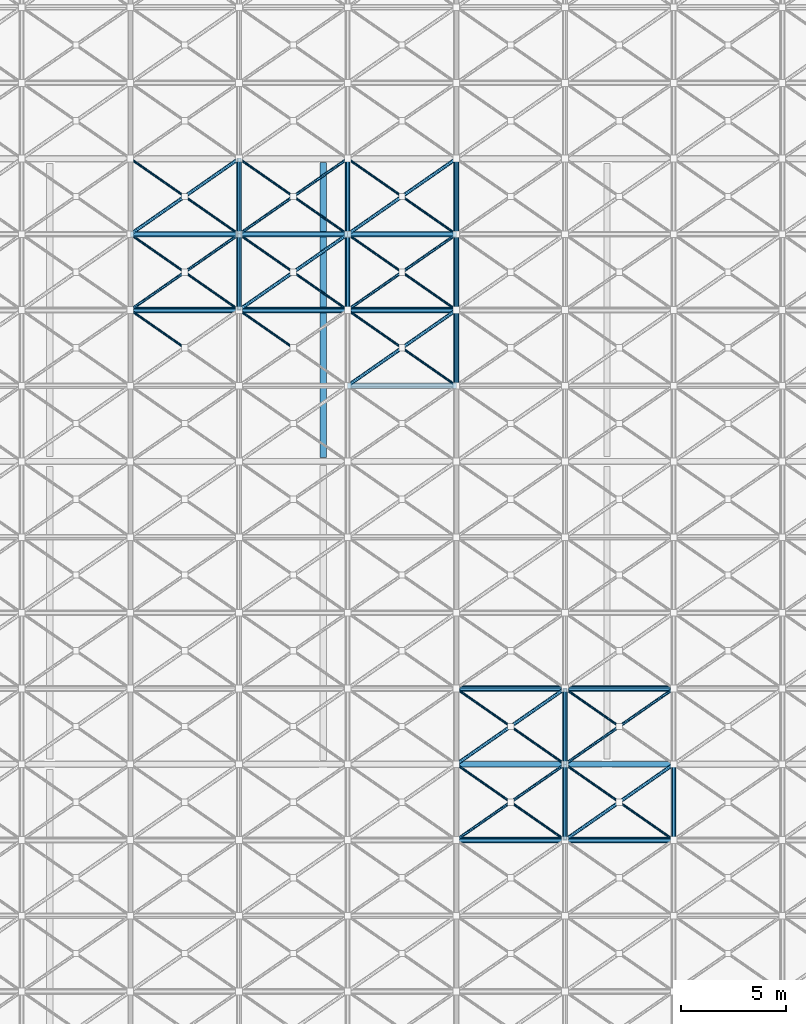
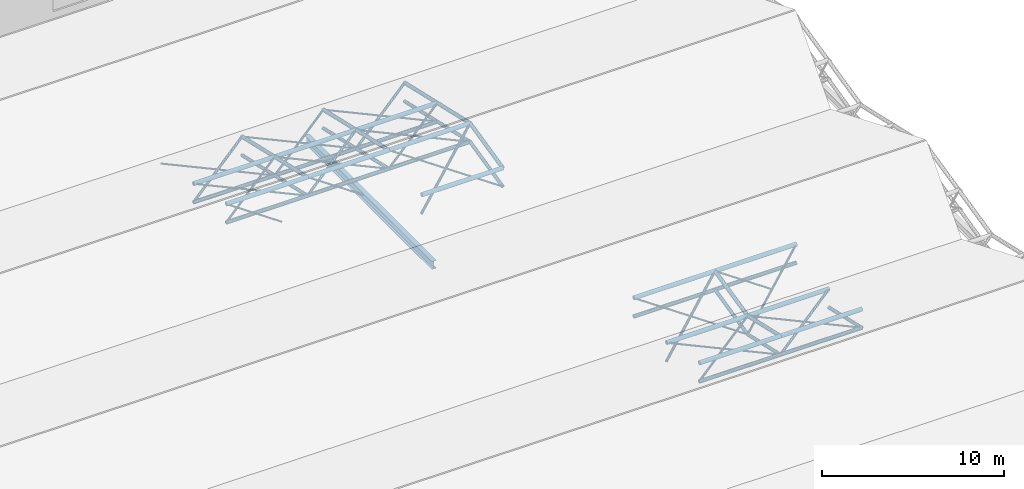
# One storey, part 42 of 110: 76 members, 1 beam.
"""IFC4 building model written with IfcOpenShell, lengths in metres."""

from ifc_helpers import new_model, si_unit, direction, frame, origin, origin_2d, place, context, subcontext, project, spatial, hollow_circle, i_section, extrude, material, material_profile, profile_set, type_object, element, save


model = new_model("IFC4")

# Units and contexts
model_context = context("Model", 3, precision=1e-05, world=origin(), true_north=direction((0.0, 1.0)))
body_context = subcontext(model_context, "Body", "Model", "MODEL_VIEW")
ifc_project = project(units=[si_unit("LENGTHUNIT", "METRE"), si_unit("AREAUNIT", "SQUARE_METRE"), si_unit("VOLUMEUNIT", "CUBIC_METRE"), si_unit("PLANEANGLEUNIT", "RADIAN"), si_unit("MASSUNIT", "GRAM", prefix="KILO")], contexts=[model_context])

# Site, building, storey
site_placement = place(None, origin())
site = spatial("IfcSite", under=ifc_project, at=site_placement, CompositionType="ELEMENT")
building_placement = place(site_placement, origin())
building = spatial("IfcBuilding", under=site, at=building_placement, Name="Tamarisk Ironworks Central Station", CompositionType="ELEMENT")
storey_placement = place(building_placement, frame((0.0, 0.0, 17.39990234375)))
storey = spatial("IfcBuildingStorey", under=building, at=storey_placement, Name="L03", CompositionType="ELEMENT", Elevation=17.39990234375)

# Beam
ifc_material_1 = material(Name="Structural steel S355J2", Category="steel")
ifc_material_profile_1 = material_profile(ifc_material_1, i_section(OverallWidth=0.300048828125, OverallDepth=0.5400390625, WebThickness=0.012451171875, FlangeThickness=0.02392578125, at=origin_2d()), Name="HEA 550")
ifc_profile_set_1 = profile_set([ifc_material_profile_1], Name="Structural steel S355J2")
beam_type = type_object("IfcBeamType", Name="BM-G04", PredefinedType="BEAM", material=ifc_profile_set_1)
beam_placement = place(storey_placement, frame((153.0, 50.59130859375, -1.869873046875), z_axis=(0.0, 1.0, 0.0), x_axis=(-1.0, 0.0, 0.0)))
element("IfcBeam", 1, at=beam_placement, inside=storey, type_object=beam_type, Name="L03 primary girder Y-0617", PredefinedType="BEAM", context=body_context, shape_type="SweptSolid", body=[
    extrude(i_section(OverallWidth=0.300048828125, OverallDepth=0.5400390625, WebThickness=0.012451171875, FlangeThickness=0.02392578125, at=origin_2d()), origin(), (0.0, 0.0, 1.0), 14.017578125),
])

# Members
ifc_material_2 = material(Name="Structural steel S355J2H", Category="steel")
ifc_material_profile_2 = material_profile(ifc_material_2, hollow_circle(Radius=0.136474609375, WallThickness=0.012451171875, at=origin_2d()), Name="CHS 273x12.5")
ifc_profile_set_2 = profile_set([ifc_material_profile_2], Name="Structural steel S355J2H")
member_type_1 = type_object("IfcMemberType", Name="MB-SFC01", PredefinedType="CHORD", material=ifc_profile_set_2)
for number, where, z_axis, x_axis, name in (
    (2, (159.333251953125, 32.39990234375, 0.35498046875), (1.0, 0.0, 0.0), (0.0, 1.0, 0.0), "Train shed space-frame top chord 1095"),
    (3, (164.5, 32.39990234375, 0.35498046875), (1.0, 0.0, 0.0), (0.0, 1.0, 0.0), "Train shed space-frame top chord 1096"),
    (4, (159.333251953125, 36.0, -0.469970703125), (1.0, 0.0, 0.0), (0.0, 1.0, 0.0), "Train shed space-frame top chord 1107"),
    (5, (164.5, 36.0, -0.469970703125), (1.0, 0.0, 0.0), (0.0, 1.0, 0.0), "Train shed space-frame top chord 1108"),
    (6, (159.333251953125, 39.60009765625, 0.35498046875), (1.0, 0.0, 0.0), (0.0, 1.0, 0.0), "Train shed space-frame top chord 1355"),
    (7, (164.5, 39.60009765625, 0.35498046875), (1.0, 0.0, 0.0), (0.0, 1.0, 0.0), "Train shed space-frame top chord 1356"),
):
    element("IfcMember", number, at=place(storey_placement, frame(where, z_axis=z_axis, x_axis=x_axis)), inside=storey, type_object=member_type_1, Name=name, PredefinedType="CHORD", context=body_context, shape_type="SweptSolid", body=[
        extrude(hollow_circle(Radius=0.136474609375, WallThickness=0.012451171875, at=origin_2d()), origin(), (0.0, 0.0, 1.0), 5.166748046875),
    ])
member_1_placement = place(storey_placement, frame((154.166748046875, 54.0, 0.35498046875), z_axis=(1.0, 0.0, 0.0), x_axis=(0.0, 1.0, 0.0)))
element("IfcMember", 8, at=member_1_placement, inside=storey, type_object=member_type_1, Name="Train shed space-frame top chord 1638", PredefinedType="CHORD", context=body_context, shape_type="SweptSolid", body=[
    extrude(hollow_circle(Radius=0.136474609375, WallThickness=0.012451171875, at=origin_2d()), origin(), (0.0, 0.0, 1.0), 5.16650390625),
])
for number, where, z_axis, x_axis, name in (
    (9, (143.833251953125, 57.60009765625, 1.18017578125), (1.0, 0.0, 0.0), (0.0, 1.0, 0.0), "Train shed space-frame top chord 1648"),
    (10, (149.0, 57.60009765625, 1.18017578125), (1.0, 0.0, 0.0), (0.0, 1.0, 0.0), "Train shed space-frame top chord 1649"),
):
    element("IfcMember", number, at=place(storey_placement, frame(where, z_axis=z_axis, x_axis=x_axis)), inside=storey, type_object=member_type_1, Name=name, PredefinedType="CHORD", context=body_context, shape_type="SweptSolid", body=[
        extrude(hollow_circle(Radius=0.136474609375, WallThickness=0.012451171875, at=origin_2d()), origin(), (0.0, 0.0, 1.0), 5.166748046875),
    ])
member_2_placement = place(storey_placement, frame((154.166748046875, 57.60009765625, 1.18017578125), z_axis=(1.0, 0.0, 0.0), x_axis=(0.0, 1.0, 0.0)))
element("IfcMember", 11, at=member_2_placement, inside=storey, type_object=member_type_1, Name="Train shed space-frame top chord 1650", PredefinedType="CHORD", context=body_context, shape_type="SweptSolid", body=[
    extrude(hollow_circle(Radius=0.136474609375, WallThickness=0.012451171875, at=origin_2d()), origin(), (0.0, 0.0, 1.0), 5.16650390625),
])
for number, where, z_axis, x_axis, name in (
    (12, (143.833251953125, 61.199951171875, 0.35498046875), (1.0, 0.0, 0.0), (0.0, 1.0, 0.0), "Train shed space-frame top chord 1660"),
    (13, (149.0, 61.199951171875, 0.35498046875), (1.0, 0.0, 0.0), (0.0, 1.0, 0.0), "Train shed space-frame top chord 1661"),
):
    element("IfcMember", number, at=place(storey_placement, frame(where, z_axis=z_axis, x_axis=x_axis)), inside=storey, type_object=member_type_1, Name=name, PredefinedType="CHORD", context=body_context, shape_type="SweptSolid", body=[
        extrude(hollow_circle(Radius=0.136474609375, WallThickness=0.012451171875, at=origin_2d()), origin(), (0.0, 0.0, 1.0), 5.166748046875),
    ])
member_3_placement = place(storey_placement, frame((154.166748046875, 61.199951171875, 0.35498046875), z_axis=(1.0, 0.0, 0.0), x_axis=(0.0, 1.0, 0.0)))
element("IfcMember", 14, at=member_3_placement, inside=storey, type_object=member_type_1, Name="Train shed space-frame top chord 1662", PredefinedType="CHORD", context=body_context, shape_type="SweptSolid", body=[
    extrude(hollow_circle(Radius=0.136474609375, WallThickness=0.012451171875, at=origin_2d()), origin(), (0.0, 0.0, 1.0), 5.16650390625),
])
ifc_material_profile_3 = material_profile(ifc_material_2, hollow_circle(Radius=0.122314453125, WallThickness=0.012451171875, at=origin_2d()), Name="CHS 244.5x12.5")
ifc_profile_set_3 = profile_set([ifc_material_profile_3], Name="Structural steel S355J2H")
member_type_2 = type_object("IfcMemberType", Name="MB-SFC02", PredefinedType="CHORD", material=ifc_profile_set_3)
for number, where, z_axis, x_axis, name in (
    (15, (159.333251953125, 32.39990234375, -0.89501953125), (1.0, 0.0, 0.0), (0.0, 1.0, 0.0), "Train shed space-frame bottom chord 0995"),
    (16, (164.5, 32.39990234375, -0.89501953125), (1.0, 0.0, 0.0), (0.0, 1.0, 0.0), "Train shed space-frame bottom chord 0996"),
):
    element("IfcMember", number, at=place(storey_placement, frame(where, z_axis=z_axis, x_axis=x_axis)), inside=storey, type_object=member_type_2, Name=name, PredefinedType="CHORD", context=body_context, shape_type="SweptSolid", body=[
        extrude(hollow_circle(Radius=0.122314453125, WallThickness=0.012451171875, at=origin_2d()), origin(), (0.0, 0.0, 1.0), 5.166748046875),
    ])
member_4_placement = place(storey_placement, frame((164.5, 32.39990234375, 0.35498046875), z_axis=(0.0, 0.974736516158, -0.223357838607), x_axis=(-1.0, 0.0, 0.0)))
element("IfcMember", 17, at=member_4_placement, inside=storey, type_object=member_type_2, Name="Train shed space-frame top transverse chord 1150", PredefinedType="CHORD", context=body_context, shape_type="SweptSolid", body=[
    extrude(hollow_circle(Radius=0.122314453125, WallThickness=0.012451171875, at=origin_2d()), origin(), (0.0, 0.0, 1.0), 3.693359375),
])
for number, where, z_axis, x_axis, name in (
    (18, (159.333251953125, 39.60009765625, -0.89501953125), (1.0, 0.0, 0.0), (0.0, 1.0, 0.0), "Train shed space-frame bottom chord 1267"),
    (19, (164.5, 39.60009765625, -0.89501953125), (1.0, 0.0, 0.0), (0.0, 1.0, 0.0), "Train shed space-frame bottom chord 1268"),
):
    element("IfcMember", number, at=place(storey_placement, frame(where, z_axis=z_axis, x_axis=x_axis)), inside=storey, type_object=member_type_2, Name=name, PredefinedType="CHORD", context=body_context, shape_type="SweptSolid", body=[
        extrude(hollow_circle(Radius=0.122314453125, WallThickness=0.012451171875, at=origin_2d()), origin(), (0.0, 0.0, 1.0), 5.166748046875),
    ])
member_5_placement = place(storey_placement, frame((164.5, 36.0, -0.469970703125), z_axis=(0.0, 0.974736516158, 0.223357838607), x_axis=(-1.0, 0.0, 0.0)))
element("IfcMember", 20, at=member_5_placement, inside=storey, type_object=member_type_2, Name="Train shed space-frame top transverse chord 1431", PredefinedType="CHORD", context=body_context, shape_type="SweptSolid", body=[
    extrude(hollow_circle(Radius=0.122314453125, WallThickness=0.012451171875, at=origin_2d()), origin(), (0.0, 0.0, 1.0), 3.693359375),
])
for number, where, z_axis, x_axis, name in (
    (21, (143.833251953125, 57.60009765625, -0.06982421875), (1.0, 0.0, 0.0), (0.0, 1.0, 0.0), "Train shed space-frame bottom chord 1560"),
    (22, (149.0, 57.60009765625, -0.06982421875), (1.0, 0.0, 0.0), (0.0, 1.0, 0.0), "Train shed space-frame bottom chord 1561"),
):
    element("IfcMember", number, at=place(storey_placement, frame(where, z_axis=z_axis, x_axis=x_axis)), inside=storey, type_object=member_type_2, Name=name, PredefinedType="CHORD", context=body_context, shape_type="SweptSolid", body=[
        extrude(hollow_circle(Radius=0.122314453125, WallThickness=0.012451171875, at=origin_2d()), origin(), (0.0, 0.0, 1.0), 5.166748046875),
    ])
member_6_placement = place(storey_placement, frame((154.166748046875, 57.60009765625, -0.06982421875), z_axis=(1.0, 0.0, 0.0), x_axis=(0.0, 1.0, 0.0)))
element("IfcMember", 23, at=member_6_placement, inside=storey, type_object=member_type_2, Name="Train shed space-frame bottom chord 1562", PredefinedType="CHORD", context=body_context, shape_type="SweptSolid", body=[
    extrude(hollow_circle(Radius=0.122314453125, WallThickness=0.012451171875, at=origin_2d()), origin(), (0.0, 0.0, 1.0), 5.16650390625),
])
for number, where, z_axis, x_axis, name in (
    (24, (143.833251953125, 61.199951171875, -0.89501953125), (1.0, 0.0, 0.0), (0.0, 1.0, 0.0), "Train shed space-frame bottom chord 1572"),
    (25, (149.0, 61.199951171875, -0.89501953125), (1.0, 0.0, 0.0), (0.0, 1.0, 0.0), "Train shed space-frame bottom chord 1573"),
):
    element("IfcMember", number, at=place(storey_placement, frame(where, z_axis=z_axis, x_axis=x_axis)), inside=storey, type_object=member_type_2, Name=name, PredefinedType="CHORD", context=body_context, shape_type="SweptSolid", body=[
        extrude(hollow_circle(Radius=0.122314453125, WallThickness=0.012451171875, at=origin_2d()), origin(), (0.0, 0.0, 1.0), 5.166748046875),
    ])
member_7_placement = place(storey_placement, frame((154.166748046875, 61.199951171875, -0.89501953125), z_axis=(1.0, 0.0, 0.0), x_axis=(0.0, 1.0, 0.0)))
element("IfcMember", 26, at=member_7_placement, inside=storey, type_object=member_type_2, Name="Train shed space-frame bottom chord 1574", PredefinedType="CHORD", context=body_context, shape_type="SweptSolid", body=[
    extrude(hollow_circle(Radius=0.122314453125, WallThickness=0.012451171875, at=origin_2d()), origin(), (0.0, 0.0, 1.0), 5.16650390625),
])
member_8_placement = place(storey_placement, frame((149.0, 57.60009765625, 1.18017578125), z_axis=(0.0, 0.974718823144, -0.223435037113), x_axis=(-1.0, 0.0, 0.0)))
element("IfcMember", 27, at=member_8_placement, inside=storey, type_object=member_type_2, Name="Train shed space-frame top transverse chord 1705", PredefinedType="CHORD", context=body_context, shape_type="SweptSolid", body=[
    extrude(hollow_circle(Radius=0.122314453125, WallThickness=0.012451171875, at=origin_2d()), origin(), (0.0, 0.0, 1.0), 3.693115234375),
])
member_9_placement = place(storey_placement, frame((149.0, 61.199951171875, 0.35498046875), z_axis=(0.0, 0.974736516158, -0.223357838607), x_axis=(-1.0, 0.0, 0.0)))
element("IfcMember", 28, at=member_9_placement, inside=storey, type_object=member_type_2, Name="Train shed space-frame top transverse chord 1706", PredefinedType="CHORD", context=body_context, shape_type="SweptSolid", body=[
    extrude(hollow_circle(Radius=0.122314453125, WallThickness=0.012451171875, at=origin_2d()), origin(), (0.0, 0.0, 1.0), 3.693359375),
])
member_10_placement = place(storey_placement, frame((154.166748046875, 57.60009765625, 1.18017578125), z_axis=(0.0, 0.974718823144, -0.223435037113), x_axis=(-1.0, 0.0, 0.0)))
element("IfcMember", 29, at=member_10_placement, inside=storey, type_object=member_type_2, Name="Train shed space-frame top transverse chord 1709", PredefinedType="CHORD", context=body_context, shape_type="SweptSolid", body=[
    extrude(hollow_circle(Radius=0.122314453125, WallThickness=0.012451171875, at=origin_2d()), origin(), (0.0, 0.0, 1.0), 3.693115234375),
])
for number, where, z_axis, x_axis, name in (
    (30, (154.166748046875, 61.199951171875, 0.35498046875), (0.0, 0.974736516158, -0.223357838607), (-1.0, 0.0, 0.0), "Train shed space-frame top transverse chord 1710"),
    (31, (159.333251953125, 54.0, 0.35498046875), (0.0, 0.974722123001, 0.223420641241), (-1.0, 0.0, 0.0), "Train shed space-frame top transverse chord 1712"),
):
    element("IfcMember", number, at=place(storey_placement, frame(where, z_axis=z_axis, x_axis=x_axis)), inside=storey, type_object=member_type_2, Name=name, PredefinedType="CHORD", context=body_context, shape_type="SweptSolid", body=[
        extrude(hollow_circle(Radius=0.122314453125, WallThickness=0.012451171875, at=origin_2d()), origin(), (0.0, 0.0, 1.0), 3.693359375),
    ])
member_11_placement = place(storey_placement, frame((159.333251953125, 57.60009765625, 1.18017578125), z_axis=(0.0, 0.974718823144, -0.223435037113), x_axis=(-1.0, 0.0, 0.0)))
element("IfcMember", 32, at=member_11_placement, inside=storey, type_object=member_type_2, Name="Train shed space-frame top transverse chord 1713", PredefinedType="CHORD", context=body_context, shape_type="SweptSolid", body=[
    extrude(hollow_circle(Radius=0.122314453125, WallThickness=0.012451171875, at=origin_2d()), origin(), (0.0, 0.0, 1.0), 3.693115234375),
])
member_12_placement = place(storey_placement, frame((159.333251953125, 61.199951171875, 0.35498046875), z_axis=(0.0, 0.974736516158, -0.223357838607), x_axis=(-1.0, 0.0, 0.0)))
element("IfcMember", 33, at=member_12_placement, inside=storey, type_object=member_type_2, Name="Train shed space-frame top transverse chord 1714", PredefinedType="CHORD", context=body_context, shape_type="SweptSolid", body=[
    extrude(hollow_circle(Radius=0.122314453125, WallThickness=0.012451171875, at=origin_2d()), origin(), (0.0, 0.0, 1.0), 3.693359375),
])
ifc_material_profile_4 = material_profile(ifc_material_2, hollow_circle(Radius=0.109619140625, WallThickness=0.010009765625, at=origin_2d()), Name="CHS 219.1x10")
ifc_profile_set_4 = profile_set([ifc_material_profile_4], Name="Structural steel S355J2H")
member_type_3 = type_object("IfcMemberType", Name="MB-SFC03", PredefinedType="CHORD", material=ifc_profile_set_4)
for number, where, z_axis, x_axis, name in (
    (34, (164.5, 32.39990234375, -0.89501953125), (0.0, 0.974736516158, -0.223357838607), (-1.0, 0.0, 0.0), "Train shed space-frame transverse chord 1038"),
    (35, (169.666748046875, 32.39990234375, -0.89501953125), (0.0, 0.974736516158, -0.223357838607), (-1.0, 0.0, 0.0), "Train shed space-frame transverse chord 1042"),
    (36, (164.5, 36.0, -1.719970703125), (0.0, 0.974736516158, 0.223357838607), (-1.0, 0.0, 0.0), "Train shed space-frame transverse chord 1331"),
):
    element("IfcMember", number, at=place(storey_placement, frame(where, z_axis=z_axis, x_axis=x_axis)), inside=storey, type_object=member_type_3, Name=name, PredefinedType="CHORD", context=body_context, shape_type="SweptSolid", body=[
        extrude(hollow_circle(Radius=0.109619140625, WallThickness=0.010009765625, at=origin_2d()), origin(), (0.0, 0.0, 1.0), 3.693359375),
    ])
member_13_placement = place(storey_placement, frame((149.0, 57.60009765625, -0.06982421875), z_axis=(0.0, 0.974718823144, -0.223435037113), x_axis=(-1.0, 0.0, 0.0)))
element("IfcMember", 37, at=member_13_placement, inside=storey, type_object=member_type_3, Name="Train shed space-frame transverse chord 1605", PredefinedType="CHORD", context=body_context, shape_type="SweptSolid", body=[
    extrude(hollow_circle(Radius=0.109619140625, WallThickness=0.010009765625, at=origin_2d()), origin(), (0.0, 0.0, 1.0), 3.693115234375),
])
member_14_placement = place(storey_placement, frame((149.0, 61.199951171875, -0.89501953125), z_axis=(0.0, 0.974736516158, -0.223357838607), x_axis=(-1.0, 0.0, 0.0)))
element("IfcMember", 38, at=member_14_placement, inside=storey, type_object=member_type_3, Name="Train shed space-frame transverse chord 1606", PredefinedType="CHORD", context=body_context, shape_type="SweptSolid", body=[
    extrude(hollow_circle(Radius=0.109619140625, WallThickness=0.010009765625, at=origin_2d()), origin(), (0.0, 0.0, 1.0), 3.693359375),
])
member_15_placement = place(storey_placement, frame((154.166748046875, 57.60009765625, -0.06982421875), z_axis=(0.0, 0.974718823144, -0.223435037113), x_axis=(-1.0, 0.0, 0.0)))
element("IfcMember", 39, at=member_15_placement, inside=storey, type_object=member_type_3, Name="Train shed space-frame transverse chord 1609", PredefinedType="CHORD", context=body_context, shape_type="SweptSolid", body=[
    extrude(hollow_circle(Radius=0.109619140625, WallThickness=0.010009765625, at=origin_2d()), origin(), (0.0, 0.0, 1.0), 3.693115234375),
])
for number, where, z_axis, x_axis, name in (
    (40, (154.166748046875, 61.199951171875, -0.89501953125), (0.0, 0.974736516158, -0.223357838607), (-1.0, 0.0, 0.0), "Train shed space-frame transverse chord 1610"),
    (41, (159.333251953125, 54.0, -0.89501953125), (0.0, 0.974722123001, 0.223420641241), (-1.0, 0.0, 0.0), "Train shed space-frame transverse chord 1612"),
):
    element("IfcMember", number, at=place(storey_placement, frame(where, z_axis=z_axis, x_axis=x_axis)), inside=storey, type_object=member_type_3, Name=name, PredefinedType="CHORD", context=body_context, shape_type="SweptSolid", body=[
        extrude(hollow_circle(Radius=0.109619140625, WallThickness=0.010009765625, at=origin_2d()), origin(), (0.0, 0.0, 1.0), 3.693359375),
    ])
member_16_placement = place(storey_placement, frame((159.333251953125, 57.60009765625, -0.06982421875), z_axis=(0.0, 0.974718823144, -0.223435037113), x_axis=(-1.0, 0.0, 0.0)))
element("IfcMember", 42, at=member_16_placement, inside=storey, type_object=member_type_3, Name="Train shed space-frame transverse chord 1613", PredefinedType="CHORD", context=body_context, shape_type="SweptSolid", body=[
    extrude(hollow_circle(Radius=0.109619140625, WallThickness=0.010009765625, at=origin_2d()), origin(), (0.0, 0.0, 1.0), 3.693115234375),
])
member_17_placement = place(storey_placement, frame((159.333251953125, 61.199951171875, -0.89501953125), z_axis=(0.0, 0.974736516158, -0.223357838607), x_axis=(-1.0, 0.0, 0.0)))
element("IfcMember", 43, at=member_17_placement, inside=storey, type_object=member_type_3, Name="Train shed space-frame transverse chord 1614", PredefinedType="CHORD", context=body_context, shape_type="SweptSolid", body=[
    extrude(hollow_circle(Radius=0.109619140625, WallThickness=0.010009765625, at=origin_2d()), origin(), (0.0, 0.0, 1.0), 3.693359375),
])
ifc_material_profile_5 = material_profile(ifc_material_2, hollow_circle(Radius=0.084228515625, WallThickness=0.010009765625, at=origin_2d()), Name="CHS 168.3x10")
ifc_profile_set_5 = profile_set([ifc_material_profile_5], Name="Structural steel S355J2H")
member_type_4 = type_object("IfcMemberType", Name="MB-SFD01", PredefinedType="BRACE", material=ifc_profile_set_5)
member_18_placement = place(storey_placement, frame((164.5, 32.39990234375, -0.89501953125), z_axis=(0.818607749421, 0.570391242875, 0.067343764671), x_axis=(-0.571689073201, 0.82047035509, 0.0)))
element("IfcMember", 44, at=member_18_placement, inside=storey, type_object=member_type_4, Name="Train shed space-frame diagonal 1241", PredefinedType="BRACE", context=body_context, shape_type="SweptSolid", body=[
    extrude(hollow_circle(Radius=0.084228515625, WallThickness=0.010009765625, at=origin_2d()), origin(), (0.0, 0.0, 1.0), 6.3115234375),
])
member_19_placement = place(storey_placement, frame((159.333251953125, 36.0, -1.719970703125), z_axis=(0.77925836502, 0.542973295402, 0.312947920631), x_axis=(-0.571689073201, 0.82047035509, 0.0)))
element("IfcMember", 45, at=member_19_placement, inside=storey, type_object=member_type_4, Name="Train shed space-frame diagonal 1511", PredefinedType="BRACE", context=body_context, shape_type="SweptSolid", body=[
    extrude(hollow_circle(Radius=0.084228515625, WallThickness=0.010009765625, at=origin_2d()), origin(), (0.0, 0.0, 1.0), 6.63037109375),
])
for number, where, z_axis, x_axis, name in (
    (46, (143.833251953125, 61.199951171875, -0.89501953125), (0.818607749421, 0.570391242875, 0.067343764671), (-0.571689073201, 0.82047035509, 0.0), "Train shed space-frame diagonal 1777"),
    (47, (149.0, 57.60009765625, -0.06982421875), (0.818627942589, 0.570366631076, 0.06730674385), (-0.57166297408, 0.820488539875, 0.0), "Train shed space-frame diagonal 1783"),
):
    element("IfcMember", number, at=place(storey_placement, frame(where, z_axis=z_axis, x_axis=x_axis)), inside=storey, type_object=member_type_4, Name=name, PredefinedType="BRACE", context=body_context, shape_type="SweptSolid", body=[
        extrude(hollow_circle(Radius=0.084228515625, WallThickness=0.010009765625, at=origin_2d()), origin(), (0.0, 0.0, 1.0), 6.3115234375),
    ])
member_20_placement = place(storey_placement, frame((154.166748046875, 54.0, -0.89501953125), z_axis=(0.779234922088, 0.542982617952, 0.31299011614), x_axis=(-0.571707258436, 0.820457683645, 0.0)))
element("IfcMember", 48, at=member_20_placement, inside=storey, type_object=member_type_4, Name="Train shed space-frame diagonal 1789", PredefinedType="BRACE", context=body_context, shape_type="SweptSolid", body=[
    extrude(hollow_circle(Radius=0.084228515625, WallThickness=0.010009765625, at=origin_2d()), origin(), (0.0, 0.0, 1.0), 6.630126953125),
])
member_21_placement = place(storey_placement, frame((154.166748046875, 61.199951171875, -0.89501953125), z_axis=(0.818594988647, 0.570409304536, 0.067345897138), x_axis=(-0.571707258436, 0.820457683645, 0.0)))
element("IfcMember", 49, at=member_21_placement, inside=storey, type_object=member_type_4, Name="Train shed space-frame diagonal 1793", PredefinedType="BRACE", context=body_context, shape_type="SweptSolid", body=[
    extrude(hollow_circle(Radius=0.084228515625, WallThickness=0.010009765625, at=origin_2d()), origin(), (0.0, 0.0, 1.0), 6.3115234375),
])
ifc_material_profile_6 = material_profile(ifc_material_2, hollow_circle(Radius=0.06982421875, WallThickness=0.008056640625, at=origin_2d()), Name="CHS 139.7x8")
ifc_profile_set_6 = profile_set([ifc_material_profile_6], Name="Structural steel S355J2H")
member_type_5 = type_object("IfcMemberType", Name="MB-SFD02", PredefinedType="BRACE", material=ifc_profile_set_6)
member_22_placement = place(storey_placement, frame((159.333251953125, 32.39990234375, -0.89501953125), z_axis=(0.818607749421, 0.570391242875, 0.067343764671), x_axis=(-0.571689073201, 0.82047035509, 0.0)))
element("IfcMember", 50, at=member_22_placement, inside=storey, type_object=member_type_5, Name="Train shed space-frame diagonal 1233", PredefinedType="BRACE", context=body_context, shape_type="SweptSolid", body=[
    extrude(hollow_circle(Radius=0.06982421875, WallThickness=0.008056640625, at=origin_2d()), origin(), (0.0, 0.0, 1.0), 6.3115234375),
])
member_23_placement = place(storey_placement, frame((164.5, 36.0, -1.719970703125), z_axis=(0.77925836502, 0.542973295402, 0.312947920631), x_axis=(-0.571689073201, 0.82047035509, 0.0)))
element("IfcMember", 51, at=member_23_placement, inside=storey, type_object=member_type_5, Name="Train shed space-frame diagonal 1519", PredefinedType="BRACE", context=body_context, shape_type="SweptSolid", body=[
    extrude(hollow_circle(Radius=0.06982421875, WallThickness=0.008056640625, at=origin_2d()), origin(), (0.0, 0.0, 1.0), 6.63037109375),
])
for number, where, z_axis, x_axis, name in (
    (52, (143.833251953125, 57.60009765625, -0.06982421875), (0.818627942589, 0.570366631076, 0.06730674385), (-0.57166297408, 0.820488539875, 0.0), "Train shed space-frame diagonal 1775"),
    (53, (149.0, 61.199951171875, -0.89501953125), (0.818607749421, 0.570391242875, 0.067343764671), (-0.571689073201, 0.82047035509, 0.0), "Train shed space-frame diagonal 1785"),
):
    element("IfcMember", number, at=place(storey_placement, frame(where, z_axis=z_axis, x_axis=x_axis)), inside=storey, type_object=member_type_5, Name=name, PredefinedType="BRACE", context=body_context, shape_type="SweptSolid", body=[
        extrude(hollow_circle(Radius=0.06982421875, WallThickness=0.008056640625, at=origin_2d()), origin(), (0.0, 0.0, 1.0), 6.3115234375),
    ])
member_24_placement = place(storey_placement, frame((154.166748046875, 57.60009765625, -0.06982421875), z_axis=(0.818615182779, 0.570384692849, 0.06730887525), x_axis=(-0.571681159291, 0.820475869305, 0.0)))
element("IfcMember", 54, at=member_24_placement, inside=storey, type_object=member_type_5, Name="Train shed space-frame diagonal 1791", PredefinedType="BRACE", context=body_context, shape_type="SweptSolid", body=[
    extrude(hollow_circle(Radius=0.06982421875, WallThickness=0.008056640625, at=origin_2d()), origin(), (0.0, 0.0, 1.0), 6.311279296875),
])
ifc_material_profile_7 = material_profile(ifc_material_2, hollow_circle(Radius=0.05712890625, WallThickness=0.00634765625, at=origin_2d()), Name="CHS 114.3x6.3")
ifc_profile_set_7 = profile_set([ifc_material_profile_7], Name="Structural steel S355J2H")
member_type_6 = type_object("IfcMemberType", Name="MB-SFD03", PredefinedType="BRACE", material=ifc_profile_set_7)
for number, where, z_axis, x_axis, name in (
    (55, (164.5, 32.39990234375, -0.89501953125), (-0.818584353535, 0.570418740152, 0.06739523003), (-0.571718624339, -0.820449763596, 0.0), "Train shed space-frame split counter-diagonal lower 1234"),
    (56, (161.87158203125, 34.2314453125, -0.6787109375), (-0.81862545828, 0.570368646704, 0.067319877544), (-0.571665501983, -0.820486778591, 0.0), "Train shed space-frame split counter-diagonal upper 1234"),
    (57, (169.666748046875, 32.39990234375, -0.89501953125), (-0.818584353535, 0.570418740152, 0.06739523003), (-0.571718624339, -0.820449763596, 0.0), "Train shed space-frame split counter-diagonal lower 1242"),
    (58, (167.038330078125, 34.2314453125, -0.6787109375), (-0.81862545828, 0.570368646704, 0.067319877544), (-0.571665501983, -0.820486778591, 0.0), "Train shed space-frame split counter-diagonal upper 1242"),
):
    element("IfcMember", number, at=place(storey_placement, frame(where, z_axis=z_axis, x_axis=x_axis)), inside=storey, type_object=member_type_6, Name=name, PredefinedType="BRACE", context=body_context, shape_type="SweptSolid", body=[
        extrude(hollow_circle(Radius=0.05712890625, WallThickness=0.00634765625, at=origin_2d()), origin(), (0.0, 0.0, 1.0), 3.100830078125),
    ])
member_25_placement = place(storey_placement, frame((164.5, 36.0, -1.719970703125), z_axis=(-0.779251958926, 0.542967486998, 0.312973948712), x_axis=(-0.571688120068, -0.820471019216, 0.0)))
element("IfcMember", 59, at=member_25_placement, inside=storey, type_object=member_type_6, Name="Train shed space-frame split counter-diagonal lower 1512", PredefinedType="BRACE", context=body_context, shape_type="SweptSolid", body=[
    extrude(hollow_circle(Radius=0.05712890625, WallThickness=0.00634765625, at=origin_2d()), origin(), (0.0, 0.0, 1.0), 3.260009765625),
])
member_26_placement = place(storey_placement, frame((161.873779296875, 37.829833984375, -0.665283203125), z_axis=(-0.779249686219, 0.542988609915, 0.312942959707), x_axis=(-0.571704213709, -0.820459805248, 0.0)))
element("IfcMember", 60, at=member_26_placement, inside=storey, type_object=member_type_6, Name="Train shed space-frame split counter-diagonal upper 1512", PredefinedType="BRACE", context=body_context, shape_type="SweptSolid", body=[
    extrude(hollow_circle(Radius=0.05712890625, WallThickness=0.00634765625, at=origin_2d()), origin(), (0.0, 0.0, 1.0), 3.26025390625),
])
member_27_placement = place(storey_placement, frame((167.040283203125, 37.829833984375, -0.665283203125), z_axis=(-0.779220271205, 0.543020296637, 0.312961221852), x_axis=(-0.571741198525, -0.820434032637, 0.0)))
element("IfcMember", 61, at=member_27_placement, inside=storey, type_object=member_type_6, Name="Train shed space-frame split counter-diagonal upper 1520", PredefinedType="BRACE", context=body_context, shape_type="SweptSolid", body=[
    extrude(hollow_circle(Radius=0.05712890625, WallThickness=0.00634765625, at=origin_2d()), origin(), (0.0, 0.0, 1.0), 3.260009765625),
])
member_28_placement = place(storey_placement, frame((146.373779296875, 55.829833984375, 0.159912109375), z_axis=(-0.779249686219, 0.542988609915, 0.312942959707), x_axis=(-0.571704213709, -0.820459805248, 0.0)))
element("IfcMember", 62, at=member_28_placement, inside=storey, type_object=member_type_6, Name="Train shed space-frame split counter-diagonal upper 1774", PredefinedType="BRACE", context=body_context, shape_type="SweptSolid", body=[
    extrude(hollow_circle(Radius=0.05712890625, WallThickness=0.00634765625, at=origin_2d()), origin(), (0.0, 0.0, 1.0), 3.26025390625),
])
for number, where, z_axis, x_axis, name in (
    (63, (149.0, 57.60009765625, -0.06982421875), (-0.81862545828, 0.570368646704, 0.067319877544), (-0.571665501983, -0.820486778591, 0.0), "Train shed space-frame split counter-diagonal lower 1776"),
    (64, (146.37158203125, 59.431396484375, 0.146240234375), (-0.81862545828, 0.570368646704, 0.067319877544), (-0.571665501983, -0.820486778591, 0.0), "Train shed space-frame split counter-diagonal upper 1776"),
    (65, (149.0, 61.199951171875, -0.89501953125), (-0.818621116616, 0.570365621695, 0.067398256788), (-0.571665501983, -0.820486778591, 0.0), "Train shed space-frame split counter-diagonal lower 1778"),
    (66, (146.37158203125, 63.031494140625, -0.6787109375), (-0.81862545828, 0.570368646704, 0.067319877544), (-0.571665501983, -0.820486778591, 0.0), "Train shed space-frame split counter-diagonal upper 1778"),
):
    element("IfcMember", number, at=place(storey_placement, frame(where, z_axis=z_axis, x_axis=x_axis)), inside=storey, type_object=member_type_6, Name=name, PredefinedType="BRACE", context=body_context, shape_type="SweptSolid", body=[
        extrude(hollow_circle(Radius=0.05712890625, WallThickness=0.00634765625, at=origin_2d()), origin(), (0.0, 0.0, 1.0), 3.100830078125),
    ])
member_29_placement = place(storey_placement, frame((151.540283203125, 55.829833984375, 0.159912109375), z_axis=(-0.779220271205, 0.543020296637, 0.312961221852), x_axis=(-0.571741198525, -0.820434032637, 0.0)))
element("IfcMember", 67, at=member_29_placement, inside=storey, type_object=member_type_6, Name="Train shed space-frame split counter-diagonal upper 1782", PredefinedType="BRACE", context=body_context, shape_type="SweptSolid", body=[
    extrude(hollow_circle(Radius=0.05712890625, WallThickness=0.00634765625, at=origin_2d()), origin(), (0.0, 0.0, 1.0), 3.260009765625),
])
for number, where, z_axis, x_axis, name in (
    (68, (154.166748046875, 57.60009765625, -0.06982421875), (-0.81862545828, 0.570368646704, 0.067319877544), (-0.571665501983, -0.820486778591, 0.0), "Train shed space-frame split counter-diagonal lower 1784"),
    (69, (151.538330078125, 59.431396484375, 0.146240234375), (-0.81862545828, 0.570368646704, 0.067319877544), (-0.571665501983, -0.820486778591, 0.0), "Train shed space-frame split counter-diagonal upper 1784"),
    (70, (154.166748046875, 61.199951171875, -0.89501953125), (-0.818621116616, 0.570365621695, 0.067398256788), (-0.571665501983, -0.820486778591, 0.0), "Train shed space-frame split counter-diagonal lower 1786"),
    (71, (151.538330078125, 63.031494140625, -0.6787109375), (-0.81862545828, 0.570368646704, 0.067319877544), (-0.571665501983, -0.820486778591, 0.0), "Train shed space-frame split counter-diagonal upper 1786"),
):
    element("IfcMember", number, at=place(storey_placement, frame(where, z_axis=z_axis, x_axis=x_axis)), inside=storey, type_object=member_type_6, Name=name, PredefinedType="BRACE", context=body_context, shape_type="SweptSolid", body=[
        extrude(hollow_circle(Radius=0.05712890625, WallThickness=0.00634765625, at=origin_2d()), origin(), (0.0, 0.0, 1.0), 3.100830078125),
    ])
for number, where, z_axis, x_axis, name in (
    (72, (159.333251953125, 54.0, -0.89501953125), (-0.779233692289, 0.542954759164, 0.313041502525), (-0.571688120068, -0.820471019216, 0.0), "Train shed space-frame split counter-diagonal lower 1790"),
    (73, (156.70703125, 55.829833984375, 0.159912109375), (-0.779220271205, 0.543020296637, 0.312961221852), (-0.571741198525, -0.820434032637, 0.0), "Train shed space-frame split counter-diagonal upper 1790"),
):
    element("IfcMember", number, at=place(storey_placement, frame(where, z_axis=z_axis, x_axis=x_axis)), inside=storey, type_object=member_type_6, Name=name, PredefinedType="BRACE", context=body_context, shape_type="SweptSolid", body=[
        extrude(hollow_circle(Radius=0.05712890625, WallThickness=0.00634765625, at=origin_2d()), origin(), (0.0, 0.0, 1.0), 3.260009765625),
    ])
for number, where, z_axis, x_axis, name in (
    (74, (159.333251953125, 57.60009765625, -0.06982421875), (-0.81862545828, 0.570368646704, 0.067319877544), (-0.571665501983, -0.820486778591, 0.0), "Train shed space-frame split counter-diagonal lower 1792"),
    (75, (156.705078125, 59.431396484375, 0.146240234375), (-0.81862545828, 0.570368646704, 0.067319877544), (-0.571665501983, -0.820486778591, 0.0), "Train shed space-frame split counter-diagonal upper 1792"),
    (76, (159.333251953125, 61.199951171875, -0.89501953125), (-0.818621116616, 0.570365621695, 0.067398256788), (-0.571665501983, -0.820486778591, 0.0), "Train shed space-frame split counter-diagonal lower 1794"),
    (77, (156.705078125, 63.031494140625, -0.6787109375), (-0.81862545828, 0.570368646704, 0.067319877544), (-0.571665501983, -0.820486778591, 0.0), "Train shed space-frame split counter-diagonal upper 1794"),
):
    element("IfcMember", number, at=place(storey_placement, frame(where, z_axis=z_axis, x_axis=x_axis)), inside=storey, type_object=member_type_6, Name=name, PredefinedType="BRACE", context=body_context, shape_type="SweptSolid", body=[
        extrude(hollow_circle(Radius=0.05712890625, WallThickness=0.00634765625, at=origin_2d()), origin(), (0.0, 0.0, 1.0), 3.100830078125),
    ])

save(model, "model.ifc")
